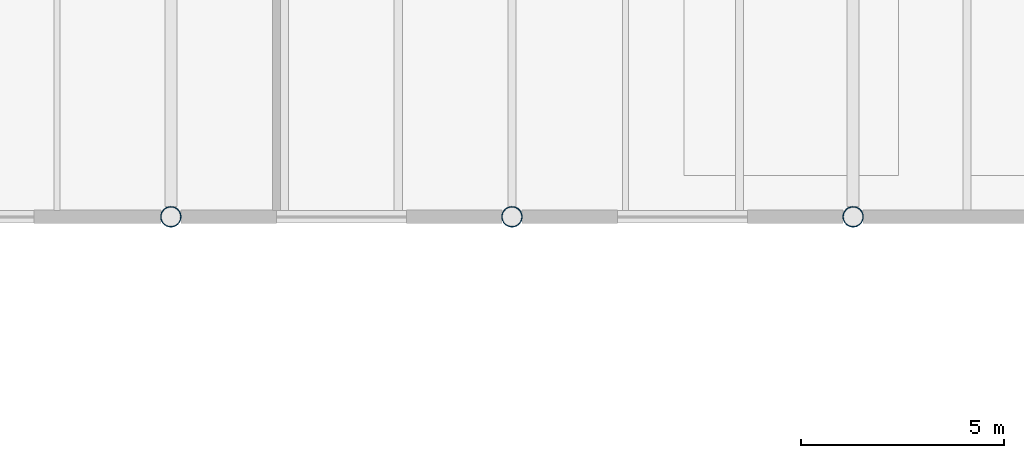
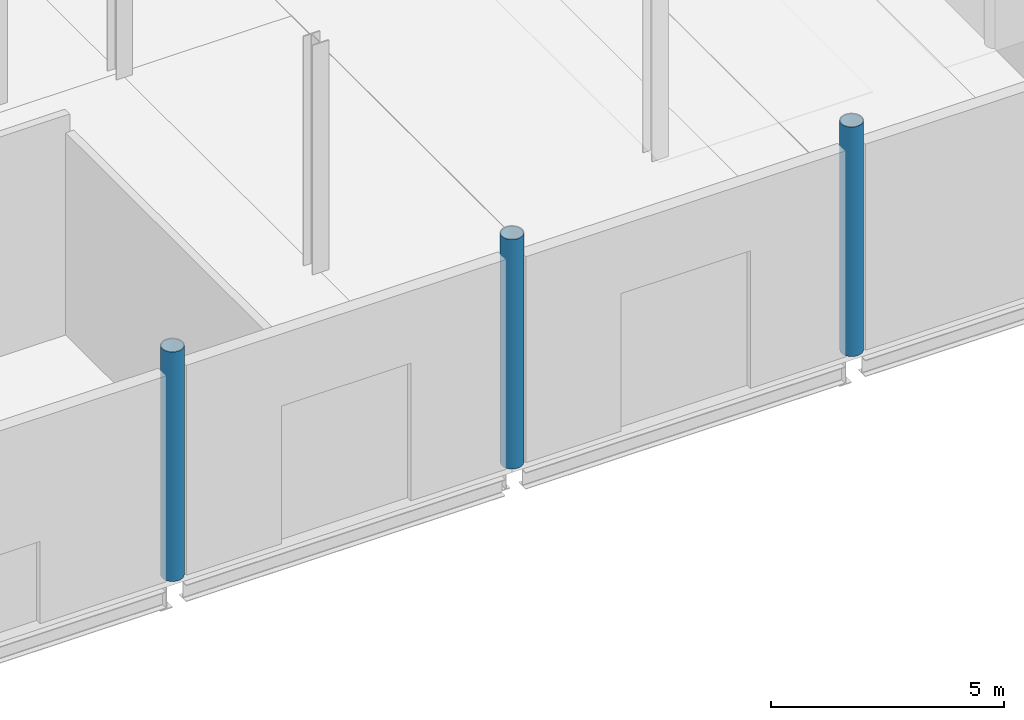
# One storey, part 3 of 85: 3 columns.
"""IFC4 building model written with IfcOpenShell, lengths in metres."""

from ifc_helpers import new_model, si_unit, direction, frame, origin, origin_2d, place, context, subcontext, project, spatial, hollow_circle, extrude, material, material_profile, profile_set, type_object, element, save


model = new_model("IFC4")

# Units and contexts
model_context = context("Model", 3, precision=1e-05, world=origin(), true_north=direction((0.0, 1.0)))
body_context = subcontext(model_context, "Body", "Model", "MODEL_VIEW")
ifc_project = project(units=[si_unit("LENGTHUNIT", "METRE"), si_unit("AREAUNIT", "SQUARE_METRE"), si_unit("VOLUMEUNIT", "CUBIC_METRE"), si_unit("PLANEANGLEUNIT", "RADIAN"), si_unit("MASSUNIT", "GRAM", prefix="KILO"), si_unit("THERMODYNAMICTEMPERATUREUNIT", "KELVIN")], contexts=[model_context])

# Site, building, storey
site_placement = place(None, origin())
site = spatial("IfcSite", under=ifc_project, at=site_placement, CompositionType="ELEMENT")
building_placement = place(site_placement, origin())
building = spatial("IfcBuilding", under=site, at=building_placement, Name="Lustrewick Department Store", CompositionType="ELEMENT")
storey_placement = place(building_placement, origin())
storey = spatial("IfcBuildingStorey", under=building, at=storey_placement, Name="L01", CompositionType="ELEMENT", Elevation=0.0)

# Columns
ifc_material = material(Name="Structural steel Q355C", Category="steel")
ifc_material_profile = material_profile(ifc_material, hollow_circle(Radius=0.25390625, WallThickness=0.01611328125, at=origin_2d()), Name="CHS 508x16")
ifc_profile_set = profile_set([ifc_material_profile], Name="Structural steel Q355C")
column_type = type_object("IfcColumnType", Name="CE01", PredefinedType="COLUMN", material=ifc_profile_set)
for number, where, z_axis, x_axis, name in (
    (1, (75.60009765625, 25.199951171875, 0.0), (0.0, 0.0, 1.0), (1.0, 0.0, 0.0), "L01 V2 Column CE01"),
    (2, (84.0, 25.199951171875, 0.0), (0.0, 0.0, 1.0), (1.0, 0.0, 0.0), "L01 V2 Column CE01"),
    (3, (92.39990234375, 25.199951171875, 0.0), (0.0, 0.0, 1.0), (1.0, 0.0, 0.0), "L01 V2 Column CE01"),
):
    element("IfcColumn", number, at=place(storey_placement, frame(where, z_axis=z_axis, x_axis=x_axis)), inside=storey, type_object=column_type, Name=name, PredefinedType="COLUMN", context=body_context, shape_type="SweptSolid", body=[
        extrude(hollow_circle(Radius=0.25390625, WallThickness=0.01611328125, at=origin_2d()), origin(), (0.0, 0.0, 1.0), 6.0),
    ])

save(model, "model.ifc")
